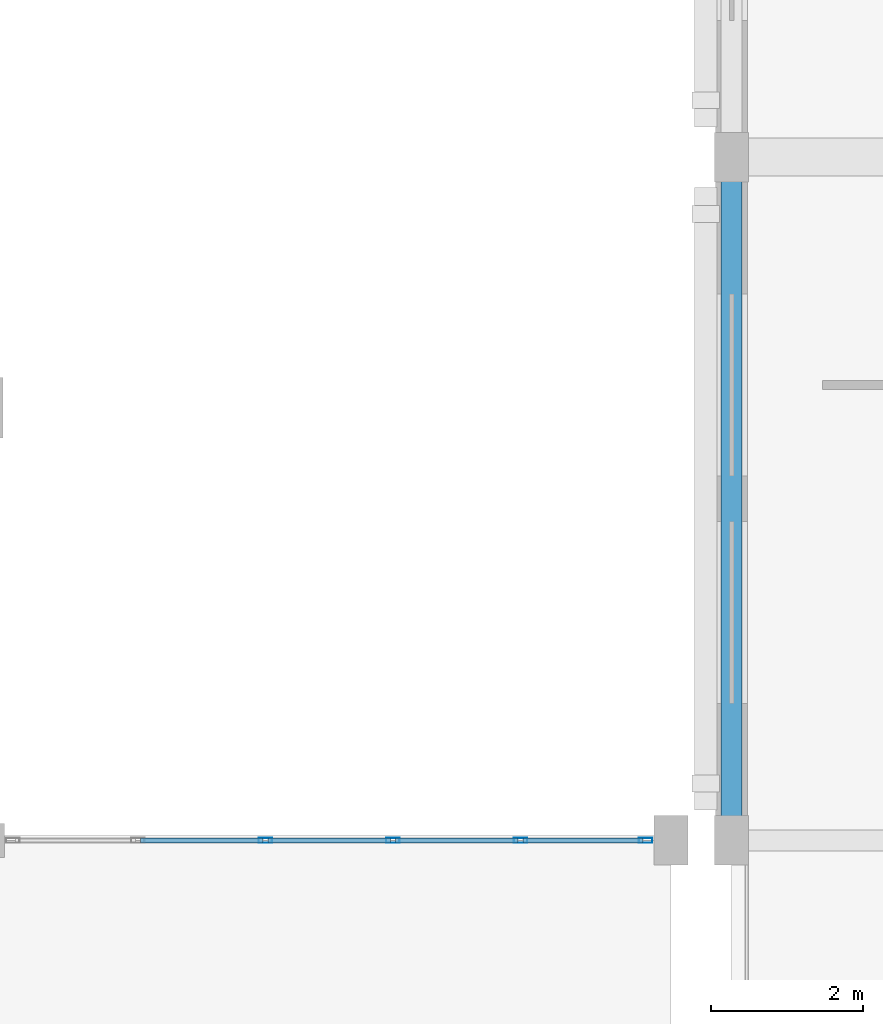
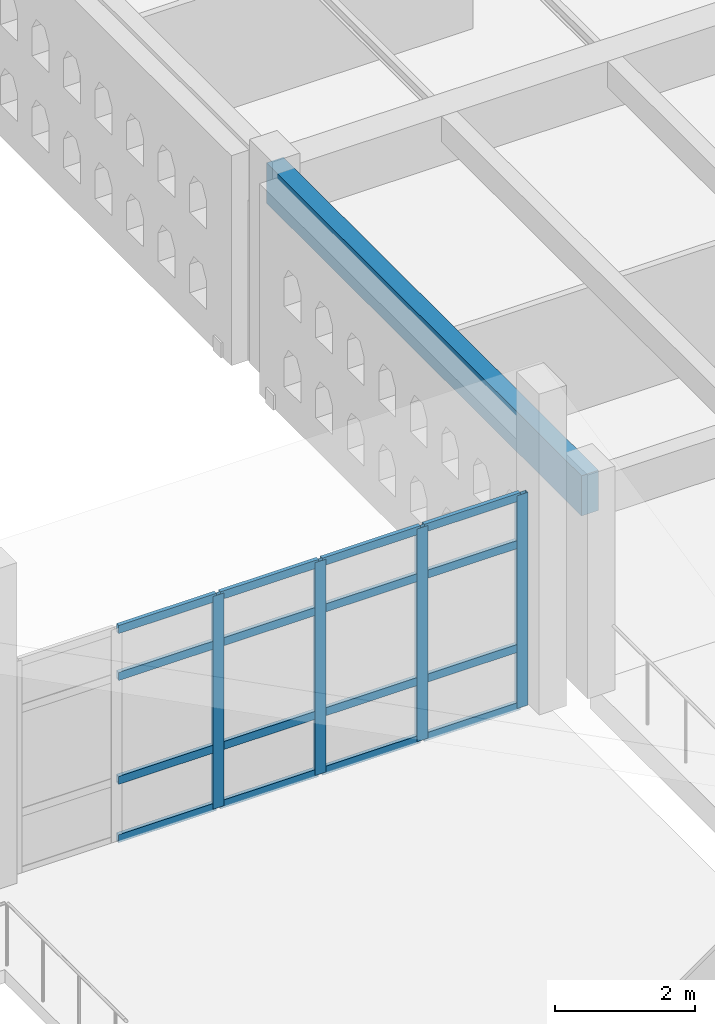
# One storey, part 13 of 156: 20 members, 1 beam, 1 element without a shape of its own.
"""IFC4 building model written with IfcOpenShell, lengths in metres."""

from ifc_helpers import new_model, si_unit, direction, frame, origin, origin_2d, place, context, subcontext, project, spatial, rectangle, hollow_rectangle, extrude, material, layer, layer_set, material_profile, profile_set, type_object, element, aggregate, save


model = new_model("IFC4")

# Units and contexts
model_context = context("Model", 3, precision=1e-05, world=origin(), true_north=direction((0.0, 1.0)))
body_context = subcontext(model_context, "Body", "Model", "MODEL_VIEW")
ifc_project = project(units=[si_unit("LENGTHUNIT", "METRE"), si_unit("AREAUNIT", "SQUARE_METRE"), si_unit("VOLUMEUNIT", "CUBIC_METRE"), si_unit("PLANEANGLEUNIT", "RADIAN"), si_unit("MASSUNIT", "GRAM", prefix="KILO")], contexts=[model_context])

# Site, building, storey
site_placement = place(None, origin())
site = spatial("IfcSite", under=ifc_project, at=site_placement, CompositionType="ELEMENT")
building_placement = place(site_placement, origin())
building = spatial("IfcBuilding", under=site, at=building_placement, Name="Ornek Quay Market", CompositionType="ELEMENT")
storey_placement = place(building_placement, frame((0.0, 0.0, 4.5)))
storey = spatial("IfcBuildingStorey", under=building, at=storey_placement, Name="L01", CompositionType="ELEMENT", Elevation=4.5)

# Beam
ifc_material_1 = material(Name="Concrete C35/45", Category="concrete")
ifc_material_profile_1 = material_profile(ifc_material_1, rectangle(XDim=0.280029296875, YDim=0.699951171875, at=origin_2d()), Name="RC 280x700", Category="concrete")
ifc_profile_set_1 = profile_set([ifc_material_profile_1], Name="Concrete C35/45")
beam_type = type_object("IfcBeamType", Name="BM-SPN-280x700", PredefinedType="SPANDREL", material=ifc_profile_set_1)
beam_placement = place(storey_placement, frame((54.800048828125, 29.0, 3.31005859375), z_axis=(0.0, 1.0, 0.0), x_axis=(-1.0, 0.0, 0.0)))
element("IfcBeam", 1, at=beam_placement, inside=storey, type_object=beam_type, Name="Primary beam B-SP2-053", PredefinedType="SPANDREL", context=body_context, shape_type="SweptSolid", body=[
    extrude(rectangle(XDim=0.280029296875, YDim=0.699951171875, at=origin_2d()), origin(), (0.0, 0.0, 1.0), 9.0),
])

# Curtain wall, members
ifc_material_2 = material(Name="Anodised bronze aluminium and triple low-e glass", Category="aluminium")
ifc_layer = layer(ifc_material_2, 0.199951171875, Name="Anodised bronze aluminium and triple low-e glass", Category="aluminium")
ifc_layer_set = layer_set([ifc_layer], Name="Anodised bronze aluminium and triple low-e glass")
curtain_wall_type = type_object("IfcCurtainWallType", Name="CW-CONC-MOD1800", PredefinedType="USERDEFINED", material=ifc_layer_set)
curtain_wall_placement = place(storey_placement, origin())
curtain_wall = element("IfcCurtainWall", 2, at=curtain_wall_placement, inside=storey, type_object=curtain_wall_type, Name="Curtain wall CW-023", ObjectType="CURTAIN WALL", PredefinedType="USERDEFINED")
ifc_material_3 = material(Name="Anodised aluminium 6063-T6", Category="aluminium")
ifc_material_profile_2 = material_profile(ifc_material_3, hollow_rectangle(XDim=0.06494140625, YDim=0.179931640625, WallThickness=0.00439453125, at=origin_2d()), Name="CW-MUL-65x180", Category="aluminium")
ifc_profile_set_2 = profile_set([ifc_material_profile_2], Name="Anodised aluminium 6063-T6")
member_type_1 = type_object("IfcMemberType", Name="CW-MUL-65x180", PredefinedType="MULLION", material=ifc_profile_set_2)
member_1_placement = place(storey_placement, frame((48.659912109375, 29.0, 0.0), z_axis=(0.0, 0.0, 1.0), x_axis=(0.0, 1.0, 0.0)))
member_1 = element("IfcMember", 3, at=member_1_placement, type_object=member_type_1, Name="CW-023 mullion 3", PredefinedType="MULLION", context=body_context, shape_type="SweptSolid", body=[
    extrude(hollow_rectangle(XDim=0.06494140625, YDim=0.179931640625, WallThickness=0.00439453125, at=origin_2d()), origin(), (0.0, 0.0, 1.0), 3.7099609375),
])
member_2_placement = place(storey_placement, frame((50.340087890625, 29.0, 0.0), z_axis=(0.0, 0.0, 1.0), x_axis=(0.0, 1.0, 0.0)))
member_2 = element("IfcMember", 4, at=member_2_placement, type_object=member_type_1, Name="CW-023 mullion 4", PredefinedType="MULLION", context=body_context, shape_type="SweptSolid", body=[
    extrude(hollow_rectangle(XDim=0.06494140625, YDim=0.179931640625, WallThickness=0.00439453125, at=origin_2d()), origin(), (0.0, 0.0, 1.0), 3.7099609375),
])
member_3_placement = place(storey_placement, frame((52.02001953125, 29.0, 0.0), z_axis=(0.0, 0.0, 1.0), x_axis=(0.0, 1.0, 0.0)))
member_3 = element("IfcMember", 5, at=member_3_placement, type_object=member_type_1, Name="CW-023 mullion 5", PredefinedType="MULLION", context=body_context, shape_type="SweptSolid", body=[
    extrude(hollow_rectangle(XDim=0.06494140625, YDim=0.179931640625, WallThickness=0.00439453125, at=origin_2d()), origin(), (0.0, 0.0, 1.0), 3.7099609375),
])
member_4_placement = place(storey_placement, frame((53.66748046875, 29.0, 0.0), z_axis=(0.0, 0.0, 1.0), x_axis=(0.0, 1.0, 0.0)))
member_4 = element("IfcMember", 6, at=member_4_placement, type_object=member_type_1, Name="CW-023 mullion 6", PredefinedType="MULLION", context=body_context, shape_type="SweptSolid", body=[
    extrude(hollow_rectangle(XDim=0.06494140625, YDim=0.179931640625, WallThickness=0.00439453125, at=origin_2d()), origin(), (0.0, 0.0, 1.0), 3.7099609375),
])
ifc_material_profile_3 = material_profile(ifc_material_3, hollow_rectangle(XDim=0.06494140625, YDim=0.139892578125, WallThickness=0.00439453125, at=origin_2d()), Name="CW-TRN-65x140", Category="aluminium")
ifc_profile_set_3 = profile_set([ifc_material_profile_3], Name="Anodised aluminium 6063-T6")
member_type_2 = type_object("IfcMemberType", Name="CW-TRN-65x140", PredefinedType="USERDEFINED", material=ifc_profile_set_3)
member_5_placement = place(storey_placement, frame((47.012451171875, 29.0, 0.032470703125), z_axis=(1.0, 0.0, 0.0), x_axis=(0.0, 1.0, 0.0)))
member_5 = element("IfcMember", 7, at=member_5_placement, type_object=member_type_2, Name="CW-023 transom 2.1", ObjectType="TRANSOM", PredefinedType="USERDEFINED", context=body_context, shape_type="SweptSolid", body=[
    extrude(hollow_rectangle(XDim=0.06494140625, YDim=0.139892578125, WallThickness=0.00439453125, at=origin_2d()), origin(), (0.0, 0.0, 1.0), 1.614990234375),
])
member_6_placement = place(storey_placement, frame((47.012451171875, 29.0, 1.050048828125), z_axis=(1.0, 0.0, 0.0), x_axis=(0.0, 1.0, 0.0)))
member_6 = element("IfcMember", 8, at=member_6_placement, type_object=member_type_2, Name="CW-023 transom 2.2", ObjectType="TRANSOM", PredefinedType="USERDEFINED", context=body_context, shape_type="SweptSolid", body=[
    extrude(hollow_rectangle(XDim=0.06494140625, YDim=0.139892578125, WallThickness=0.00439453125, at=origin_2d()), origin(), (0.0, 0.0, 1.0), 1.614990234375),
])
member_7_placement = place(storey_placement, frame((47.012451171875, 29.0, 2.860107421875), z_axis=(1.0, 0.0, 0.0), x_axis=(0.0, 1.0, 0.0)))
member_7 = element("IfcMember", 9, at=member_7_placement, type_object=member_type_2, Name="CW-023 transom 2.3", ObjectType="TRANSOM", PredefinedType="USERDEFINED", context=body_context, shape_type="SweptSolid", body=[
    extrude(hollow_rectangle(XDim=0.06494140625, YDim=0.139892578125, WallThickness=0.00439453125, at=origin_2d()), origin(), (0.0, 0.0, 1.0), 1.614990234375),
])
member_8_placement = place(storey_placement, frame((47.012451171875, 29.0, 3.677490234375), z_axis=(1.0, 0.0, 0.0), x_axis=(0.0, 1.0, 0.0)))
member_8 = element("IfcMember", 10, at=member_8_placement, type_object=member_type_2, Name="CW-023 transom 2.4", ObjectType="TRANSOM", PredefinedType="USERDEFINED", context=body_context, shape_type="SweptSolid", body=[
    extrude(hollow_rectangle(XDim=0.06494140625, YDim=0.139892578125, WallThickness=0.00439453125, at=origin_2d()), origin(), (0.0, 0.0, 1.0), 1.614990234375),
])
member_9_placement = place(storey_placement, frame((48.6923828125, 29.0, 0.032470703125), z_axis=(1.0, 0.0, 0.0), x_axis=(0.0, 1.0, 0.0)))
member_9 = element("IfcMember", 11, at=member_9_placement, type_object=member_type_2, Name="CW-023 transom 3.1", ObjectType="TRANSOM", PredefinedType="USERDEFINED", context=body_context, shape_type="SweptSolid", body=[
    extrude(hollow_rectangle(XDim=0.06494140625, YDim=0.139892578125, WallThickness=0.00439453125, at=origin_2d()), origin(), (0.0, 0.0, 1.0), 1.615234375),
])
member_10_placement = place(storey_placement, frame((48.6923828125, 29.0, 1.050048828125), z_axis=(1.0, 0.0, 0.0), x_axis=(0.0, 1.0, 0.0)))
member_10 = element("IfcMember", 12, at=member_10_placement, type_object=member_type_2, Name="CW-023 transom 3.2", ObjectType="TRANSOM", PredefinedType="USERDEFINED", context=body_context, shape_type="SweptSolid", body=[
    extrude(hollow_rectangle(XDim=0.06494140625, YDim=0.139892578125, WallThickness=0.00439453125, at=origin_2d()), origin(), (0.0, 0.0, 1.0), 1.615234375),
])
member_11_placement = place(storey_placement, frame((48.6923828125, 29.0, 2.860107421875), z_axis=(1.0, 0.0, 0.0), x_axis=(0.0, 1.0, 0.0)))
member_11 = element("IfcMember", 13, at=member_11_placement, type_object=member_type_2, Name="CW-023 transom 3.3", ObjectType="TRANSOM", PredefinedType="USERDEFINED", context=body_context, shape_type="SweptSolid", body=[
    extrude(hollow_rectangle(XDim=0.06494140625, YDim=0.139892578125, WallThickness=0.00439453125, at=origin_2d()), origin(), (0.0, 0.0, 1.0), 1.615234375),
])
member_12_placement = place(storey_placement, frame((48.6923828125, 29.0, 3.677490234375), z_axis=(1.0, 0.0, 0.0), x_axis=(0.0, 1.0, 0.0)))
member_12 = element("IfcMember", 14, at=member_12_placement, type_object=member_type_2, Name="CW-023 transom 3.4", ObjectType="TRANSOM", PredefinedType="USERDEFINED", context=body_context, shape_type="SweptSolid", body=[
    extrude(hollow_rectangle(XDim=0.06494140625, YDim=0.139892578125, WallThickness=0.00439453125, at=origin_2d()), origin(), (0.0, 0.0, 1.0), 1.615234375),
])
member_13_placement = place(storey_placement, frame((50.37255859375, 29.0, 0.032470703125), z_axis=(1.0, 0.0, 0.0), x_axis=(0.0, 1.0, 0.0)))
member_13 = element("IfcMember", 15, at=member_13_placement, type_object=member_type_2, Name="CW-023 transom 4.1", ObjectType="TRANSOM", PredefinedType="USERDEFINED", context=body_context, shape_type="SweptSolid", body=[
    extrude(hollow_rectangle(XDim=0.06494140625, YDim=0.139892578125, WallThickness=0.00439453125, at=origin_2d()), origin(), (0.0, 0.0, 1.0), 1.614990234375),
])
member_14_placement = place(storey_placement, frame((50.37255859375, 29.0, 1.050048828125), z_axis=(1.0, 0.0, 0.0), x_axis=(0.0, 1.0, 0.0)))
member_14 = element("IfcMember", 16, at=member_14_placement, type_object=member_type_2, Name="CW-023 transom 4.2", ObjectType="TRANSOM", PredefinedType="USERDEFINED", context=body_context, shape_type="SweptSolid", body=[
    extrude(hollow_rectangle(XDim=0.06494140625, YDim=0.139892578125, WallThickness=0.00439453125, at=origin_2d()), origin(), (0.0, 0.0, 1.0), 1.614990234375),
])
member_15_placement = place(storey_placement, frame((50.37255859375, 29.0, 2.860107421875), z_axis=(1.0, 0.0, 0.0), x_axis=(0.0, 1.0, 0.0)))
member_15 = element("IfcMember", 17, at=member_15_placement, type_object=member_type_2, Name="CW-023 transom 4.3", ObjectType="TRANSOM", PredefinedType="USERDEFINED", context=body_context, shape_type="SweptSolid", body=[
    extrude(hollow_rectangle(XDim=0.06494140625, YDim=0.139892578125, WallThickness=0.00439453125, at=origin_2d()), origin(), (0.0, 0.0, 1.0), 1.614990234375),
])
member_16_placement = place(storey_placement, frame((50.37255859375, 29.0, 3.677490234375), z_axis=(1.0, 0.0, 0.0), x_axis=(0.0, 1.0, 0.0)))
member_16 = element("IfcMember", 18, at=member_16_placement, type_object=member_type_2, Name="CW-023 transom 4.4", ObjectType="TRANSOM", PredefinedType="USERDEFINED", context=body_context, shape_type="SweptSolid", body=[
    extrude(hollow_rectangle(XDim=0.06494140625, YDim=0.139892578125, WallThickness=0.00439453125, at=origin_2d()), origin(), (0.0, 0.0, 1.0), 1.614990234375),
])
member_17_placement = place(storey_placement, frame((52.052490234375, 29.0, 0.032470703125), z_axis=(1.0, 0.0, 0.0), x_axis=(0.0, 1.0, 0.0)))
member_17 = element("IfcMember", 19, at=member_17_placement, type_object=member_type_2, Name="CW-023 transom 5.1", ObjectType="TRANSOM", PredefinedType="USERDEFINED", context=body_context, shape_type="SweptSolid", body=[
    extrude(hollow_rectangle(XDim=0.06494140625, YDim=0.139892578125, WallThickness=0.00439453125, at=origin_2d()), origin(), (0.0, 0.0, 1.0), 1.58251953125),
])
member_18_placement = place(storey_placement, frame((52.052490234375, 29.0, 1.050048828125), z_axis=(1.0, 0.0, 0.0), x_axis=(0.0, 1.0, 0.0)))
member_18 = element("IfcMember", 20, at=member_18_placement, type_object=member_type_2, Name="CW-023 transom 5.2", ObjectType="TRANSOM", PredefinedType="USERDEFINED", context=body_context, shape_type="SweptSolid", body=[
    extrude(hollow_rectangle(XDim=0.06494140625, YDim=0.139892578125, WallThickness=0.00439453125, at=origin_2d()), origin(), (0.0, 0.0, 1.0), 1.58251953125),
])
member_19_placement = place(storey_placement, frame((52.052490234375, 29.0, 2.860107421875), z_axis=(1.0, 0.0, 0.0), x_axis=(0.0, 1.0, 0.0)))
member_19 = element("IfcMember", 21, at=member_19_placement, type_object=member_type_2, Name="CW-023 transom 5.3", ObjectType="TRANSOM", PredefinedType="USERDEFINED", context=body_context, shape_type="SweptSolid", body=[
    extrude(hollow_rectangle(XDim=0.06494140625, YDim=0.139892578125, WallThickness=0.00439453125, at=origin_2d()), origin(), (0.0, 0.0, 1.0), 1.58251953125),
])
member_20_placement = place(storey_placement, frame((52.052490234375, 29.0, 3.677490234375), z_axis=(1.0, 0.0, 0.0), x_axis=(0.0, 1.0, 0.0)))
member_20 = element("IfcMember", 22, at=member_20_placement, type_object=member_type_2, Name="CW-023 transom 5.4", ObjectType="TRANSOM", PredefinedType="USERDEFINED", context=body_context, shape_type="SweptSolid", body=[
    extrude(hollow_rectangle(XDim=0.06494140625, YDim=0.139892578125, WallThickness=0.00439453125, at=origin_2d()), origin(), (0.0, 0.0, 1.0), 1.58251953125),
])
aggregate(curtain_wall, [member_1, member_2, member_3, member_4, member_5, member_6, member_7, member_8, member_9, member_10, member_11, member_12, member_13, member_14, member_15, member_16, member_17, member_18, member_19, member_20])

save(model, "model.ifc")
